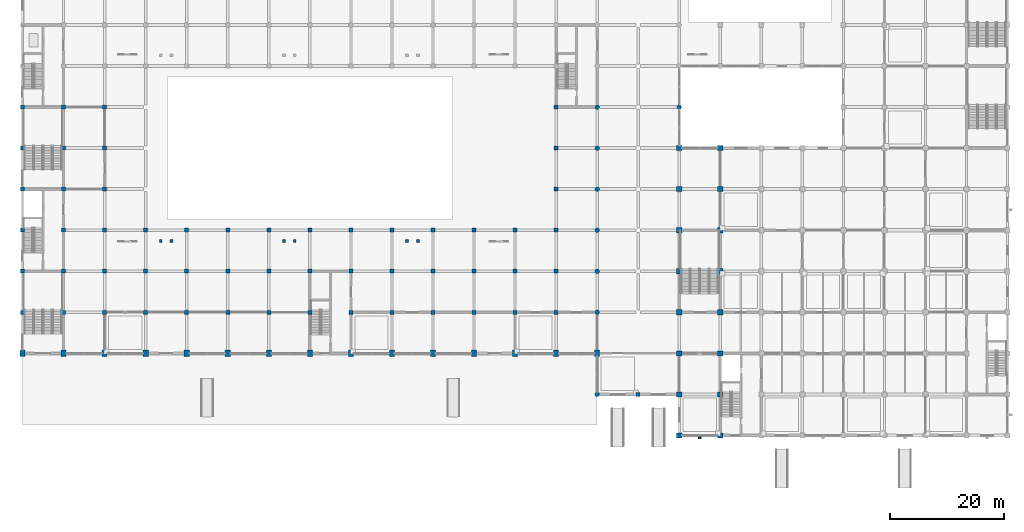
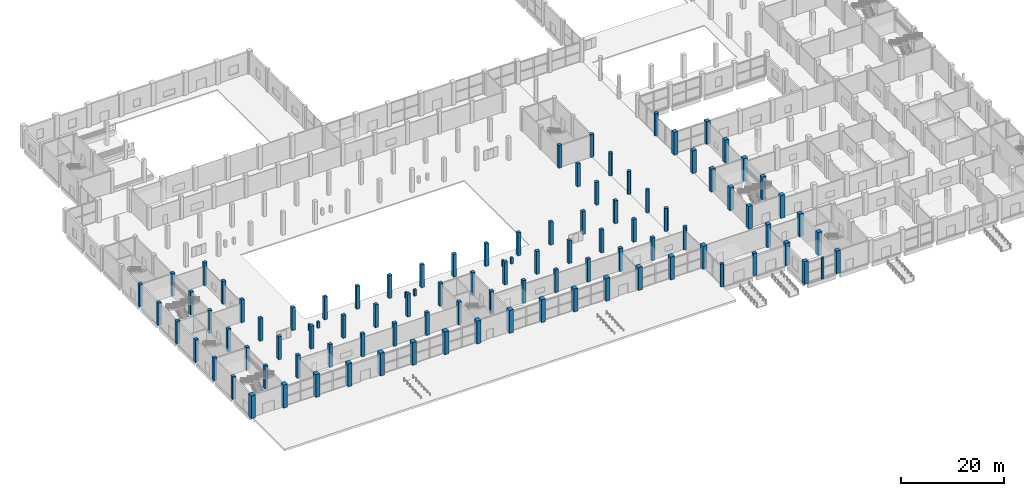
# One storey, part 1 of 70: 101 columns.
"""IFC4 building model written with IfcOpenShell, lengths in metres."""

from ifc_helpers import new_model, si_unit, direction, frame, origin, origin_2d, place, context, subcontext, project, spatial, rectangle, circle, extrude, material, material_profile, profile_set, type_object, element, save


model = new_model("IFC4")

# Units and contexts
model_context = context("Model", 3, precision=1e-05, world=origin(), true_north=direction((0.0, 1.0)))
body_context = subcontext(model_context, "Body", "Model", "MODEL_VIEW")
ifc_project = project(units=[si_unit("LENGTHUNIT", "METRE"), si_unit("AREAUNIT", "SQUARE_METRE"), si_unit("VOLUMEUNIT", "CUBIC_METRE"), si_unit("PLANEANGLEUNIT", "RADIAN"), si_unit("MASSUNIT", "GRAM", prefix="KILO")], contexts=[model_context])

# Site, building, storey
site_placement = place(None, origin())
site = spatial("IfcSite", under=ifc_project, at=site_placement, CompositionType="ELEMENT")
building_placement = place(site_placement, origin())
building = spatial("IfcBuilding", under=site, at=building_placement, Name="Vesperath Aquatics Centre", CompositionType="ELEMENT")
storey_placement = place(building_placement, origin())
storey = spatial("IfcBuildingStorey", under=building, at=storey_placement, Name="L00", CompositionType="ELEMENT", Elevation=0.0)

# Columns
ifc_material_1 = material(Name="Concrete C40", Category="concrete")
ifc_material_profile_1 = material_profile(ifc_material_1, rectangle(XDim=0.89990234375, YDim=1.10009765625, at=origin_2d()), Name="RC 1100x900")
ifc_profile_set_1 = profile_set([ifc_material_profile_1], Name="Concrete C40")
column_type_1 = type_object("IfcColumnType", Name="CL-C01", PredefinedType="COLUMN", material=ifc_profile_set_1)
for number, where, z_axis, x_axis, name in (
    (1, (0.0, 14.39990234375, 0.0), (0.0, 0.0, 1.0), (1.0, 0.0, 0.0), "Column C01 L00 1/C"),
    (2, (7.199951171875, 14.39990234375, 0.0), (0.0, 0.0, 1.0), (1.0, 0.0, 0.0), "Column C01 L00 2/C"),
    (3, (14.39990234375, 14.39990234375, 0.0), (0.0, 0.0, 1.0), (1.0, 0.0, 0.0), "Column C01 L00 3/C"),
    (4, (21.60009765625, 14.39990234375, 0.0), (0.0, 0.0, 1.0), (1.0, 0.0, 0.0), "Column C01 L00 4/C"),
    (5, (28.800048828125, 14.39990234375, 0.0), (0.0, 0.0, 1.0), (1.0, 0.0, 0.0), "Column C01 L00 5/C"),
    (6, (36.0, 14.39990234375, 0.0), (0.0, 0.0, 1.0), (1.0, 0.0, 0.0), "Column C01 L00 6/C"),
    (7, (43.199951171875, 14.39990234375, 0.0), (0.0, 0.0, 1.0), (1.0, 0.0, 0.0), "Column C01 L00 7/C"),
    (8, (50.39990234375, 14.39990234375, 0.0), (0.0, 0.0, 1.0), (1.0, 0.0, 0.0), "Column C01 L00 8/C"),
    (9, (57.60009765625, 14.39990234375, 0.0), (0.0, 0.0, 1.0), (1.0, 0.0, 0.0), "Column C01 L00 9/C"),
    (10, (64.800048828125, 14.39990234375, 0.0), (0.0, 0.0, 1.0), (1.0, 0.0, 0.0), "Column C01 L00 10/C"),
    (11, (72.0, 14.39990234375, 0.0), (0.0, 0.0, 1.0), (1.0, 0.0, 0.0), "Column C01 L00 11/C"),
    (12, (79.199951171875, 14.39990234375, 0.0), (0.0, 0.0, 1.0), (1.0, 0.0, 0.0), "Column C01 L00 12/C"),
    (13, (86.39990234375, 14.39990234375, 0.0), (0.0, 0.0, 1.0), (1.0, 0.0, 0.0), "Column C01 L00 13/C"),
    (14, (93.60009765625, 14.39990234375, 0.0), (0.0, 0.0, 1.0), (1.0, 0.0, 0.0), "Column C01 L00 14/C"),
    (15, (100.800048828125, 14.39990234375, 0.0), (0.0, 0.0, 1.0), (1.0, 0.0, 0.0), "Column C01 L00 15/C"),
):
    element("IfcColumn", number, at=place(storey_placement, frame(where, z_axis=z_axis, x_axis=x_axis)), inside=storey, type_object=column_type_1, Name=name, PredefinedType="COLUMN", context=body_context, shape_type="SweptSolid", body=[
        extrude(rectangle(XDim=0.89990234375, YDim=1.10009765625, at=origin_2d()), origin(), (0.0, 0.0, 1.0), 5.39990234375),
    ])
ifc_material_profile_2 = material_profile(ifc_material_1, rectangle(XDim=0.89990234375, YDim=0.89990234375, at=origin_2d()), Name="RC 900x900")
ifc_profile_set_2 = profile_set([ifc_material_profile_2], Name="Concrete C40")
column_type_2 = type_object("IfcColumnType", Name="CL-C03", PredefinedType="COLUMN", material=ifc_profile_set_2)
for number, where, z_axis, x_axis, name in (
    (16, (115.199951171875, 0.0, 0.0), (0.0, 0.0, 1.0), (1.0, 0.0, 0.0), "Column C03 L00 17/A"),
    (17, (115.199951171875, 7.199951171875, 0.0), (0.0, 0.0, 1.0), (1.0, 0.0, 0.0), "Column C03 L00 17/B"),
    (18, (115.199951171875, 14.39990234375, 0.0), (0.0, 0.0, 1.0), (1.0, 0.0, 0.0), "Column C03 L00 17/C"),
    (19, (115.199951171875, 21.60009765625, 0.0), (0.0, 0.0, 1.0), (1.0, 0.0, 0.0), "Column C03 L00 17/D"),
    (20, (115.199951171875, 28.800048828125, 0.0), (0.0, 0.0, 1.0), (1.0, 0.0, 0.0), "Column C03 L00 17/E"),
    (21, (115.199951171875, 36.0, 0.0), (0.0, 0.0, 1.0), (1.0, 0.0, 0.0), "Column C03 L00 17/F"),
    (22, (115.199951171875, 43.199951171875, 0.0), (0.0, 0.0, 1.0), (1.0, 0.0, 0.0), "Column C03 L00 17/G"),
    (23, (115.199951171875, 50.39990234375, 0.0), (0.0, 0.0, 1.0), (1.0, 0.0, 0.0), "Column C03 L00 17/H"),
    (24, (122.39990234375, 0.0, 0.0), (0.0, 0.0, 1.0), (1.0, 0.0, 0.0), "Column C03 L00 18/A"),
    (25, (122.39990234375, 7.199951171875, 0.0), (0.0, 0.0, 1.0), (1.0, 0.0, 0.0), "Column C03 L00 18/B"),
    (26, (122.39990234375, 14.39990234375, 0.0), (0.0, 0.0, 1.0), (1.0, 0.0, 0.0), "Column C03 L00 18/C"),
    (27, (122.39990234375, 21.60009765625, 0.0), (0.0, 0.0, 1.0), (1.0, 0.0, 0.0), "Column C03 L00 18/D"),
    (28, (122.39990234375, 28.800048828125, 0.0), (0.0, 0.0, 1.0), (1.0, 0.0, 0.0), "Column C03 L00 18/E"),
    (29, (122.39990234375, 36.0, 0.0), (0.0, 0.0, 1.0), (1.0, 0.0, 0.0), "Column C03 L00 18/F"),
    (30, (122.39990234375, 43.199951171875, 0.0), (0.0, 0.0, 1.0), (1.0, 0.0, 0.0), "Column C03 L00 18/G"),
    (31, (122.39990234375, 50.39990234375, 0.0), (0.0, 0.0, 1.0), (1.0, 0.0, 0.0), "Column C03 L00 18/H"),
):
    element("IfcColumn", number, at=place(storey_placement, frame(where, z_axis=z_axis, x_axis=x_axis)), inside=storey, type_object=column_type_2, Name=name, PredefinedType="COLUMN", context=body_context, shape_type="SweptSolid", body=[
        extrude(rectangle(XDim=0.89990234375, YDim=0.89990234375, at=origin_2d()), origin(), (0.0, 0.0, 1.0), 5.39990234375),
    ])
ifc_material_profile_3 = material_profile(ifc_material_1, rectangle(XDim=0.699951171875, YDim=0.699951171875, at=origin_2d()), Name="RC 700x700")
ifc_profile_set_3 = profile_set([ifc_material_profile_3], Name="Concrete C40")
column_type_3 = type_object("IfcColumnType", Name="CL-C05", PredefinedType="COLUMN", material=ifc_profile_set_3)
for number, where, z_axis, x_axis, name in (
    (32, (0.0, 21.60009765625, 0.0), (0.0, 0.0, 1.0), (1.0, 0.0, 0.0), "Column C05 L00 1/D"),
    (33, (0.0, 28.800048828125, 0.0), (0.0, 0.0, 1.0), (1.0, 0.0, 0.0), "Column C05 L00 1/E"),
    (34, (0.0, 36.0, 0.0), (0.0, 0.0, 1.0), (1.0, 0.0, 0.0), "Column C05 L00 1/F"),
    (35, (0.0, 43.199951171875, 0.0), (0.0, 0.0, 1.0), (1.0, 0.0, 0.0), "Column C05 L00 1/G"),
    (36, (0.0, 50.39990234375, 0.0), (0.0, 0.0, 1.0), (1.0, 0.0, 0.0), "Column C05 L00 1/H"),
    (37, (0.0, 57.60009765625, 0.0), (0.0, 0.0, 1.0), (1.0, 0.0, 0.0), "Column C05 L00 1/J"),
    (38, (7.199951171875, 21.60009765625, 0.0), (0.0, 0.0, 1.0), (1.0, 0.0, 0.0), "Column C05 L00 2/D"),
    (39, (7.199951171875, 28.800048828125, 0.0), (0.0, 0.0, 1.0), (1.0, 0.0, 0.0), "Column C05 L00 2/E"),
    (40, (7.199951171875, 36.0, 0.0), (0.0, 0.0, 1.0), (1.0, 0.0, 0.0), "Column C05 L00 2/F"),
    (41, (7.199951171875, 43.199951171875, 0.0), (0.0, 0.0, 1.0), (1.0, 0.0, 0.0), "Column C05 L00 2/G"),
    (42, (7.199951171875, 50.39990234375, 0.0), (0.0, 0.0, 1.0), (1.0, 0.0, 0.0), "Column C05 L00 2/H"),
    (43, (7.199951171875, 57.60009765625, 0.0), (0.0, 0.0, 1.0), (1.0, 0.0, 0.0), "Column C05 L00 2/J"),
    (44, (14.39990234375, 21.60009765625, 0.0), (0.0, 0.0, 1.0), (1.0, 0.0, 0.0), "Column C05 L00 3/D"),
    (45, (14.39990234375, 28.800048828125, 0.0), (0.0, 0.0, 1.0), (1.0, 0.0, 0.0), "Column C05 L00 3/E"),
    (46, (14.39990234375, 36.0, 0.0), (0.0, 0.0, 1.0), (1.0, 0.0, 0.0), "Column C05 L00 3/F"),
    (47, (14.39990234375, 43.199951171875, 0.0), (0.0, 0.0, 1.0), (1.0, 0.0, 0.0), "Column C05 L00 3/G"),
    (48, (14.39990234375, 50.39990234375, 0.0), (0.0, 0.0, 1.0), (1.0, 0.0, 0.0), "Column C05 L00 3/H"),
    (49, (14.39990234375, 57.60009765625, 0.0), (0.0, 0.0, 1.0), (1.0, 0.0, 0.0), "Column C05 L00 3/J"),
    (50, (21.60009765625, 21.60009765625, 0.0), (0.0, 0.0, 1.0), (1.0, 0.0, 0.0), "Column C05 L00 4/D"),
    (51, (21.60009765625, 28.800048828125, 0.0), (0.0, 0.0, 1.0), (1.0, 0.0, 0.0), "Column C05 L00 4/E"),
    (52, (21.60009765625, 36.0, 0.0), (0.0, 0.0, 1.0), (1.0, 0.0, 0.0), "Column C05 L00 4/F"),
    (53, (28.800048828125, 21.60009765625, 0.0), (0.0, 0.0, 1.0), (1.0, 0.0, 0.0), "Column C05 L00 5/D"),
    (54, (28.800048828125, 28.800048828125, 0.0), (0.0, 0.0, 1.0), (1.0, 0.0, 0.0), "Column C05 L00 5/E"),
    (55, (28.800048828125, 36.0, 0.0), (0.0, 0.0, 1.0), (1.0, 0.0, 0.0), "Column C05 L00 5/F"),
    (56, (36.0, 21.60009765625, 0.0), (0.0, 0.0, 1.0), (1.0, 0.0, 0.0), "Column C05 L00 6/D"),
    (57, (36.0, 28.800048828125, 0.0), (0.0, 0.0, 1.0), (1.0, 0.0, 0.0), "Column C05 L00 6/E"),
    (58, (36.0, 36.0, 0.0), (0.0, 0.0, 1.0), (1.0, 0.0, 0.0), "Column C05 L00 6/F"),
    (59, (43.199951171875, 21.60009765625, 0.0), (0.0, 0.0, 1.0), (1.0, 0.0, 0.0), "Column C05 L00 7/D"),
    (60, (43.199951171875, 28.800048828125, 0.0), (0.0, 0.0, 1.0), (1.0, 0.0, 0.0), "Column C05 L00 7/E"),
    (61, (43.199951171875, 36.0, 0.0), (0.0, 0.0, 1.0), (1.0, 0.0, 0.0), "Column C05 L00 7/F"),
    (62, (50.39990234375, 21.60009765625, 0.0), (0.0, 0.0, 1.0), (1.0, 0.0, 0.0), "Column C05 L00 8/D"),
    (63, (50.39990234375, 28.800048828125, 0.0), (0.0, 0.0, 1.0), (1.0, 0.0, 0.0), "Column C05 L00 8/E"),
    (64, (50.39990234375, 36.0, 0.0), (0.0, 0.0, 1.0), (1.0, 0.0, 0.0), "Column C05 L00 8/F"),
    (65, (57.60009765625, 21.60009765625, 0.0), (0.0, 0.0, 1.0), (1.0, 0.0, 0.0), "Column C05 L00 9/D"),
    (66, (57.60009765625, 28.800048828125, 0.0), (0.0, 0.0, 1.0), (1.0, 0.0, 0.0), "Column C05 L00 9/E"),
    (67, (57.60009765625, 36.0, 0.0), (0.0, 0.0, 1.0), (1.0, 0.0, 0.0), "Column C05 L00 9/F"),
    (68, (64.800048828125, 21.60009765625, 0.0), (0.0, 0.0, 1.0), (1.0, 0.0, 0.0), "Column C05 L00 10/D"),
    (69, (64.800048828125, 28.800048828125, 0.0), (0.0, 0.0, 1.0), (1.0, 0.0, 0.0), "Column C05 L00 10/E"),
    (70, (64.800048828125, 36.0, 0.0), (0.0, 0.0, 1.0), (1.0, 0.0, 0.0), "Column C05 L00 10/F"),
    (71, (72.0, 21.60009765625, 0.0), (0.0, 0.0, 1.0), (1.0, 0.0, 0.0), "Column C05 L00 11/D"),
    (72, (72.0, 28.800048828125, 0.0), (0.0, 0.0, 1.0), (1.0, 0.0, 0.0), "Column C05 L00 11/E"),
    (73, (72.0, 36.0, 0.0), (0.0, 0.0, 1.0), (1.0, 0.0, 0.0), "Column C05 L00 11/F"),
    (74, (79.199951171875, 21.60009765625, 0.0), (0.0, 0.0, 1.0), (1.0, 0.0, 0.0), "Column C05 L00 12/D"),
    (75, (79.199951171875, 28.800048828125, 0.0), (0.0, 0.0, 1.0), (1.0, 0.0, 0.0), "Column C05 L00 12/E"),
    (76, (79.199951171875, 36.0, 0.0), (0.0, 0.0, 1.0), (1.0, 0.0, 0.0), "Column C05 L00 12/F"),
    (77, (86.39990234375, 21.60009765625, 0.0), (0.0, 0.0, 1.0), (1.0, 0.0, 0.0), "Column C05 L00 13/D"),
    (78, (86.39990234375, 28.800048828125, 0.0), (0.0, 0.0, 1.0), (1.0, 0.0, 0.0), "Column C05 L00 13/E"),
    (79, (86.39990234375, 36.0, 0.0), (0.0, 0.0, 1.0), (1.0, 0.0, 0.0), "Column C05 L00 13/F"),
    (80, (93.60009765625, 21.60009765625, 0.0), (0.0, 0.0, 1.0), (1.0, 0.0, 0.0), "Column C05 L00 14/D"),
    (81, (93.60009765625, 28.800048828125, 0.0), (0.0, 0.0, 1.0), (1.0, 0.0, 0.0), "Column C05 L00 14/E"),
    (82, (93.60009765625, 36.0, 0.0), (0.0, 0.0, 1.0), (1.0, 0.0, 0.0), "Column C05 L00 14/F"),
    (83, (93.60009765625, 43.199951171875, 0.0), (0.0, 0.0, 1.0), (1.0, 0.0, 0.0), "Column C05 L00 14/G"),
    (84, (93.60009765625, 50.39990234375, 0.0), (0.0, 0.0, 1.0), (1.0, 0.0, 0.0), "Column C05 L00 14/H"),
    (85, (93.60009765625, 57.60009765625, 0.0), (0.0, 0.0, 1.0), (1.0, 0.0, 0.0), "Column C05 L00 14/J"),
    (86, (108.0, 7.199951171875, 0.0), (0.0, 0.0, 1.0), (1.0, 0.0, 0.0), "Column C05 L00 16/B"),
):
    element("IfcColumn", number, at=place(storey_placement, frame(where, z_axis=z_axis, x_axis=x_axis)), inside=storey, type_object=column_type_3, Name=name, PredefinedType="COLUMN", context=body_context, shape_type="SweptSolid", body=[
        extrude(rectangle(XDim=0.699951171875, YDim=0.699951171875, at=origin_2d()), origin(), (0.0, 0.0, 1.0), 5.39990234375),
    ])
ifc_material_2 = material(Name="Concrete C35", Category="concrete")
ifc_material_profile_4 = material_profile(ifc_material_2, rectangle(XDim=0.5, YDim=0.5, at=origin_2d()), Name="RC 500x500")
ifc_profile_set_4 = profile_set([ifc_material_profile_4], Name="Concrete C35")
column_type_4 = type_object("IfcColumnType", Name="CL-C07", PredefinedType="COLUMN", material=ifc_profile_set_4)
for number, where, z_axis, x_axis, name in (
    (87, (24.25, 34.1201171875, 0.0), (0.0, 0.0, 1.0), (1.0, 0.0, 0.0), "Vomitory VOM-01 Portal Column C07 L00-W"),
    (88, (26.14990234375, 34.1201171875, 0.0), (0.0, 0.0, 1.0), (1.0, 0.0, 0.0), "Vomitory VOM-01 Portal Column C07 L00-E"),
    (89, (45.85009765625, 34.1201171875, 0.0), (0.0, 0.0, 1.0), (1.0, 0.0, 0.0), "Vomitory VOM-02 Portal Column C07 L00-W"),
    (90, (47.75, 34.1201171875, 0.0), (0.0, 0.0, 1.0), (1.0, 0.0, 0.0), "Vomitory VOM-02 Portal Column C07 L00-E"),
    (91, (67.449951171875, 34.1201171875, 0.0), (0.0, 0.0, 1.0), (1.0, 0.0, 0.0), "Vomitory VOM-03 Portal Column C07 L00-W"),
    (92, (69.35009765625, 34.1201171875, 0.0), (0.0, 0.0, 1.0), (1.0, 0.0, 0.0), "Vomitory VOM-03 Portal Column C07 L00-E"),
):
    element("IfcColumn", number, at=place(storey_placement, frame(where, z_axis=z_axis, x_axis=x_axis)), inside=storey, type_object=column_type_4, Name=name, PredefinedType="COLUMN", context=body_context, shape_type="SweptSolid", body=[
        extrude(rectangle(XDim=0.5, YDim=0.5, at=origin_2d()), origin(), (0.0, 0.0, 1.0), 1.449951171875),
    ])
ifc_material_profile_5 = material_profile(ifc_material_1, circle(Radius=0.39990234375, at=origin_2d()), Name="RC D800")
ifc_profile_set_5 = profile_set([ifc_material_profile_5], Name="Concrete C40")
column_type_5 = type_object("IfcColumnType", Name="CL-C08", PredefinedType="COLUMN", material=ifc_profile_set_5)
for number, where, z_axis, x_axis, name in (
    (93, (100.800048828125, 7.199951171875, 0.0), (0.0, 0.0, 1.0), (1.0, 0.0, 0.0), "Column C08 L00 15/B"),
    (94, (100.800048828125, 21.60009765625, 0.0), (0.0, 0.0, 1.0), (1.0, 0.0, 0.0), "Column C08 L00 15/D"),
    (95, (100.800048828125, 28.800048828125, 0.0), (0.0, 0.0, 1.0), (1.0, 0.0, 0.0), "Column C08 L00 15/E"),
    (96, (100.800048828125, 36.0, 0.0), (0.0, 0.0, 1.0), (1.0, 0.0, 0.0), "Column C08 L00 15/F"),
    (97, (100.800048828125, 43.199951171875, 0.0), (0.0, 0.0, 1.0), (1.0, 0.0, 0.0), "Column C08 L00 15/G"),
    (98, (100.800048828125, 50.39990234375, 0.0), (0.0, 0.0, 1.0), (1.0, 0.0, 0.0), "Column C08 L00 15/H"),
    (99, (100.800048828125, 57.60009765625, 0.0), (0.0, 0.0, 1.0), (1.0, 0.0, 0.0), "Column C08 L00 15/J"),
    (100, (115.199951171875, 57.60009765625, 0.0), (0.0, 0.0, 1.0), (1.0, 0.0, 0.0), "Column C08 L00 17/J"),
):
    element("IfcColumn", number, at=place(storey_placement, frame(where, z_axis=z_axis, x_axis=x_axis)), inside=storey, type_object=column_type_5, Name=name, PredefinedType="COLUMN", context=body_context, shape_type="SweptSolid", body=[
        extrude(circle(Radius=0.39990234375, at=origin_2d()), origin(), (0.0, 0.0, 1.0), 5.39990234375),
    ])
ifc_material_profile_6 = material_profile(ifc_material_1, rectangle(XDim=0.449951171875, YDim=0.35009765625, at=origin_2d()), Name="CL-PL01")
ifc_profile_set_6 = profile_set([ifc_material_profile_6], Name="Concrete C40")
column_type_6 = type_object("IfcColumnType", Name="CL-PL01", PredefinedType="PILASTER", material=ifc_profile_set_6)
column_placement = place(storey_placement, frame((118.800048828125, -0.449951171875, 0.0), z_axis=(0.0, 0.0, 1.0), x_axis=(1.0, 0.0, 0.0)))
element("IfcColumn", 101, at=column_placement, inside=storey, type_object=column_type_6, Name="Rusticated Granite Plinth Pilaster PLS1-01", PredefinedType="PILASTER", context=body_context, shape_type="SweptSolid", body=[
    extrude(rectangle(XDim=0.449951171875, YDim=0.35009765625, at=origin_2d()), origin(), (0.0, 0.0, 1.0), 5.10009765625),
])

save(model, "model.ifc")
